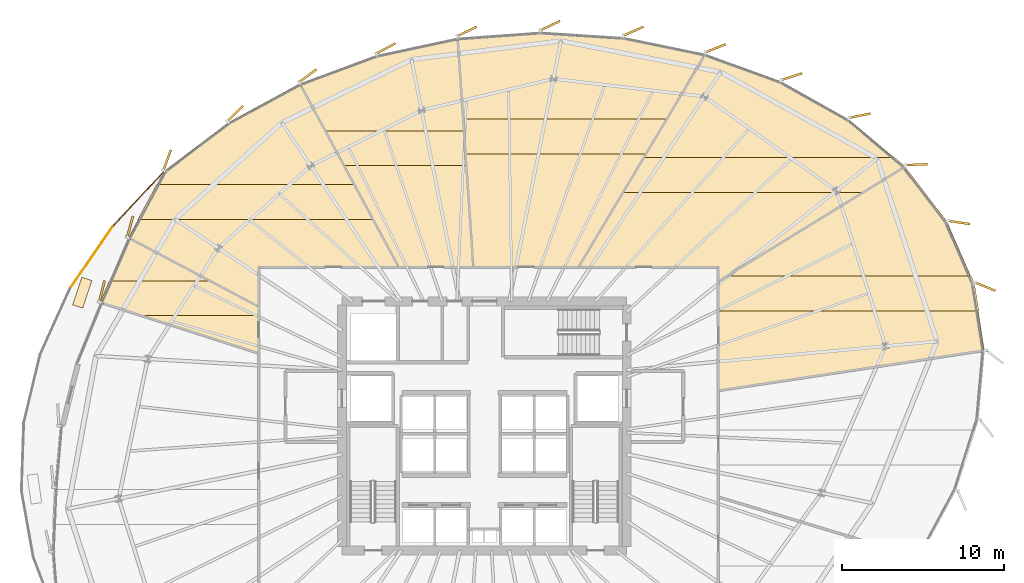
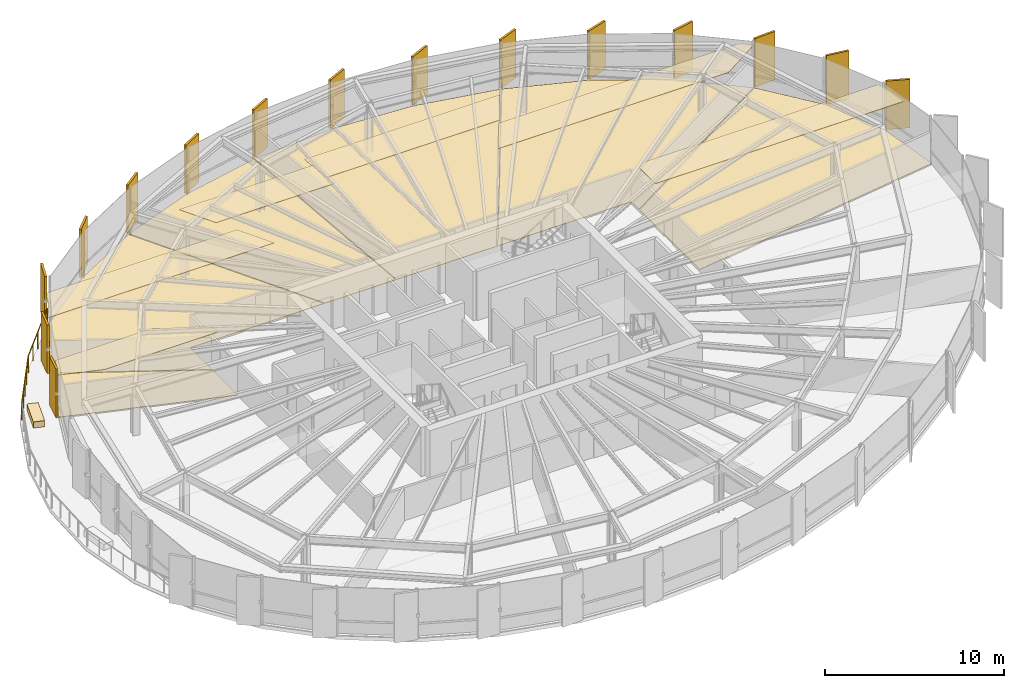
# One storey, part 35 of 35: 28 coverings, 2 railings.
"""IFC4 building model written with IfcOpenShell, lengths in metres."""

from ifc_helpers import new_model, si_unit, direction, frame, origin, origin_2d, place, context, subcontext, project, spatial, polyline, rectangle, circle, outline, extrude, source, transform, mapped, material, layer, layer_set, type_object, element, save


model = new_model("IFC4")

# Units and contexts
model_context = context("Model", 3, precision=1e-05, world=origin(), true_north=direction((0.0, 1.0)))
body_context = subcontext(model_context, "Body", "Model", "MODEL_VIEW")
ifc_project = project(units=[si_unit("LENGTHUNIT", "METRE"), si_unit("AREAUNIT", "SQUARE_METRE"), si_unit("VOLUMEUNIT", "CUBIC_METRE"), si_unit("PLANEANGLEUNIT", "RADIAN"), si_unit("MASSUNIT", "GRAM", prefix="KILO"), si_unit("THERMODYNAMICTEMPERATUREUNIT", "KELVIN")], contexts=[model_context])

# Site, building, storey
site_placement = place(None, origin())
site = spatial("IfcSite", under=ifc_project, at=site_placement, CompositionType="ELEMENT")
building_placement = place(site_placement, origin())
building = spatial("IfcBuilding", under=site, at=building_placement, Name="Kethvar Cultural Tower", CompositionType="ELEMENT")
storey_placement = place(building_placement, frame((0.0, 0.0, 100.0)))
storey = spatial("IfcBuildingStorey", under=building, at=storey_placement, Name="L24", CompositionType="ELEMENT", Elevation=100.0)

# Coverings
ifc_material_1 = material(Name="Acoustic Mineral Fibre Ceiling")
ifc_layer_1 = layer(ifc_material_1, 0.0400390625, Name="Acoustic Mineral Fibre Ceiling")
ifc_layer_set_1 = layer_set([ifc_layer_1], Name="Acoustic Mineral Fibre Ceiling (40 mm)")
covering_type_1 = type_object("IfcCoveringType", Name="CV-ACOUSTIC-CEIL", PredefinedType="CEILING", material=ifc_layer_set_1)
covering_1_placement = place(storey_placement, frame((0.0, 0.0, 2.889892578125)))
element("IfcCovering", 1, at=covering_1_placement, inside=storey, type_object=covering_type_1, Name="L24 Room 06 Acoustic Ceiling Panel", PredefinedType="CEILING", context=body_context, shape_type="SweptSolid", body=[
    extrude(outline(polyline([(77.1015625, 36.606201171875), (77.3681640625, 34.90478515625), (61.25, 34.90478515625), (61.25048828125, 36.7451171875), (61.739990234375, 37.054931640625), (76.90625, 37.054931640625), (77.1015625, 36.606201171875)])), origin(), (0.0, 0.0, 1.0), 0.0400390625),
])
covering_2_placement = place(storey_placement, frame((0.0, 0.0, 2.889892578125)))
element("IfcCovering", 2, at=covering_2_placement, inside=storey, type_object=covering_type_1, Name="L24 Room 07 Acoustic Ceiling Panel", PredefinedType="CEILING", context=body_context, shape_type="SweptSolid", body=[
    extrude(outline(polyline([(72.7978515625, 43.871337890625), (70.216552734375, 42.24560546875), (55.33935546875, 42.24560546875), (56.61376953125, 44.3955078125), (72.17333984375, 44.3955078125), (72.7978515625, 43.871337890625)])), origin(), (0.0, 0.0, 1.0), 0.0400390625),
])
covering_3_placement = place(storey_placement, frame((0.0, 0.0, 2.889892578125)))
element("IfcCovering", 3, at=covering_3_placement, inside=storey, type_object=covering_type_1, Name="L24 Room 08 Acoustic Ceiling Panel", PredefinedType="CEILING", context=body_context, shape_type="SweptSolid", body=[
    extrude(outline(polyline([(56.788818359375, 44.612548828125), (45.60693359375, 44.612548828125), (45.45703125, 46.7626953125), (58.063232421875, 46.7626953125), (56.788818359375, 44.612548828125)])), origin(), (0.0, 0.0, 1.0), 0.0400390625),
])
covering_4_placement = place(storey_placement, frame((0.0, 0.0, 2.889892578125)))
element("IfcCovering", 4, at=covering_4_placement, inside=storey, type_object=covering_type_1, Name="L24 Room 09 Acoustic Ceiling Panel", PredefinedType="CEILING", context=body_context, shape_type="SweptSolid", body=[
    extrude(outline(polyline([(45.697998046875, 43.884521484375), (38.1025390625, 43.884521484375), (36.94287109375, 46.03466796875), (45.5478515625, 46.03466796875), (45.697998046875, 43.884521484375)])), origin(), (0.0, 0.0, 1.0), 0.0400390625),
])
covering_5_placement = place(storey_placement, frame((0.0, 0.0, 2.889892578125)))
element("IfcCovering", 5, at=covering_5_placement, inside=storey, type_object=covering_type_1, Name="L24 Room 10 Acoustic Ceiling Panel", PredefinedType="CEILING", context=body_context, shape_type="SweptSolid", body=[
    extrude(outline(polyline([(39.94140625, 40.5595703125), (25.374755859375, 40.5595703125), (26.53662109375, 42.70947265625), (38.78173828125, 42.70947265625), (39.94140625, 40.5595703125)])), origin(), (0.0, 0.0, 1.0), 0.0400390625),
])
covering_6_placement = place(storey_placement, frame((0.0, 0.0, 2.889892578125)))
element("IfcCovering", 6, at=covering_6_placement, inside=storey, type_object=covering_type_1, Name="L24 Room 11 Acoustic Ceiling Panel", PredefinedType="CEILING", context=body_context, shape_type="SweptSolid", body=[
    extrude(outline(polyline([(32.859375, 35.184814453125), (32.8701171875, 34.61279296875), (25.57763671875, 34.61279296875), (23.0419921875, 35.444091796875), (23.611083984375, 36.7626953125), (29.871337890625, 36.7626953125), (32.859375, 35.184814453125)])), origin(), (0.0, 0.0, 1.0), 0.0400390625),
])
ifc_material_2 = material(Name="Honed Warm Limestone", Category="masonry")
ifc_layer_2 = layer(ifc_material_2, 0.030029296875, Name="Honed Warm Limestone", Category="masonry")
ifc_layer_set_2 = layer_set([ifc_layer_2], Name="Honed Warm Limestone (30 mm)")
covering_type_2 = type_object("IfcCoveringType", Name="CV-STONE-FLOOR", PredefinedType="FLOORING", material=ifc_layer_set_2)
covering_7_placement = place(storey_placement, origin())
element("IfcCovering", 7, at=covering_7_placement, inside=storey, type_object=covering_type_2, Name="L24 Room 06 Floor Finish", PredefinedType="FLOORING", context=body_context, shape_type="SweptSolid", body=[
    extrude(outline(polyline([(75.397216796875, 40.422119140625), (77.06396484375, 36.592529296875), (77.705810546875, 32.4833984375), (61.2900390625, 30.006591796875), (61.2900390625, 36.729736328125), (72.780029296875, 43.82958984375), (75.397216796875, 40.422119140625)])), origin(), (0.0, 0.0, 1.0), 0.030029296875),
])
covering_8_placement = place(storey_placement, origin())
element("IfcCovering", 8, at=covering_8_placement, inside=storey, type_object=covering_type_2, Name="L24 Room 07 Floor Finish", PredefinedType="FLOORING", context=body_context, shape_type="SweptSolid", body=[
    extrude(outline(polyline([(65.125, 49.095703125), (69.295654296875, 46.75830078125), (72.7509765625, 43.858642578125), (61.2900390625, 36.77685546875), (61.27197265625, 37.639892578125), (52.656005859375, 37.639892578125), (60.451904296875, 50.792236328125), (65.125, 49.095703125)])), origin(), (0.0, 0.0, 1.0), 0.030029296875),
])
covering_9_placement = place(storey_placement, origin())
element("IfcCovering", 9, at=covering_9_placement, inside=storey, type_object=covering_type_2, Name="L24 Room 08 Floor Finish", PredefinedType="FLOORING", context=body_context, shape_type="SweptSolid", body=[
    extrude(outline(polyline([(50.265380859375, 52.15869140625), (55.423095703125, 51.825927734375), (60.41162109375, 50.802734375), (52.609375, 37.639892578125), (46.133544921875, 37.639892578125), (45.146484375, 51.7890625), (50.265380859375, 52.15869140625)])), origin(), (0.0, 0.0, 1.0), 0.030029296875),
])
covering_10_placement = place(storey_placement, origin())
element("IfcCovering", 10, at=covering_10_placement, inside=storey, type_object=covering_type_2, Name="L24 Room 09 Floor Finish", PredefinedType="FLOORING", context=body_context, shape_type="SweptSolid", body=[
    extrude(outline(polyline([(40.14208984375, 50.716796875), (45.106689453125, 51.783203125), (46.093505859375, 37.639892578125), (41.515869140625, 37.639892578125), (35.40771484375, 48.96533203125), (40.14208984375, 50.716796875)])), origin(), (0.0, 0.0, 1.0), 0.030029296875),
])
covering_11_placement = place(storey_placement, origin())
element("IfcCovering", 11, at=covering_11_placement, inside=storey, type_object=covering_type_2, Name="L24 Room 10 Floor Finish", PredefinedType="FLOORING", context=body_context, shape_type="SweptSolid", body=[
    extrude(outline(polyline([(27.055419921875, 43.585693359375), (30.97998046875, 46.555908203125), (35.37109375, 48.948974609375), (41.470458984375, 37.639892578125), (32.84423828125, 37.63916015625), (32.830078125, 35.2001953125), (24.8125, 39.4345703125), (27.055419921875, 43.585693359375)])), origin(), (0.0, 0.0, 1.0), 0.030029296875),
])
covering_12_placement = place(storey_placement, origin())
element("IfcCovering", 12, at=covering_12_placement, inside=storey, type_object=covering_type_2, Name="L24 Room 11 Floor Finish", PredefinedType="FLOORING", context=body_context, shape_type="SweptSolid", body=[
    extrude(outline(polyline([(24.794921875, 39.3984375), (32.830078125, 35.155029296875), (32.830078125, 32.319580078125), (23.089111328125, 35.4560546875), (24.794921875, 39.3984375)])), origin(), (0.0, 0.0, 1.0), 0.030029296875),
])

# Railings
ifc_material_3 = material(Name="Steel S355J2", Category="steel")
railing_type = type_object("IfcRailingType", Name="RL-EXT-GUARD-1150", PredefinedType="BALUSTRADE", material=ifc_material_3)
railing_1_placement = place(storey_placement, frame((27.039794921875, 43.59912109375, 0.0)))
element("IfcRailing", 13, at=railing_1_placement, inside=storey, type_object=railing_type, Name="L24 Spiralling Terrace Balustrade 01", PredefinedType="BALUSTRADE", context=body_context, shape_type="SweptSolid", body=[
    extrude(circle(Radius=0.02392578125, at=origin_2d()), frame((0.0, 0.0, 1.1259765625), z_axis=(-0.679250861378, -0.733906170649, 0.0), x_axis=(0.733906170649, -0.679250861378, 0.0)), (0.0, 0.0, 1.0), 4.770751953125),
    extrude(circle(Radius=0.02099609375, at=origin_2d()), origin(), (0.0, 0.0, 1.0), 1.101806640625),
    extrude(circle(Radius=0.02099609375, at=origin_2d()), frame((-0.81005859375, -0.875244140625, 0.0)), (0.0, 0.0, 1.0), 1.101806640625),
    extrude(circle(Radius=0.02099609375, at=origin_2d()), frame((-1.6201171875, -1.75048828125, 0.0)), (0.0, 0.0, 1.0), 1.101806640625),
    extrude(circle(Radius=0.02099609375, at=origin_2d()), frame((-2.430419921875, -2.6259765625, 0.0)), (0.0, 0.0, 1.0), 1.101806640625),
    extrude(circle(Radius=0.02099609375, at=origin_2d()), frame((-3.240478515625, -3.501220703125, 0.0)), (0.0, 0.0, 1.0), 1.101806640625),
])
railing_2_placement = place(storey_placement, frame((23.79931640625, 40.097900390625, 0.0)))
element("IfcRailing", 14, at=railing_2_placement, inside=storey, type_object=railing_type, Name="L24 Spiralling Terrace Balustrade 02", PredefinedType="BALUSTRADE", context=body_context, shape_type="SweptSolid", body=[
    extrude(circle(Radius=0.02392578125, at=origin_2d()), frame((0.0, 0.0, 1.1259765625), z_axis=(-0.566407885105, -0.824125055857, 0.0), x_axis=(0.824125055857, -0.566407885105, 0.0)), (0.0, 0.0, 1.0), 4.626708984375),
    extrude(circle(Radius=0.02099609375, at=origin_2d()), origin(), (0.0, 0.0, 1.0), 1.101806640625),
    extrude(circle(Radius=0.02099609375, at=origin_2d()), frame((-0.6552734375, -0.953125, 0.0)), (0.0, 0.0, 1.0), 1.101806640625),
    extrude(circle(Radius=0.02099609375, at=origin_2d()), frame((-1.310302734375, -1.906494140625, 0.0)), (0.0, 0.0, 1.0), 1.101806640625),
    extrude(circle(Radius=0.02099609375, at=origin_2d()), frame((-1.96533203125, -2.85986328125, 0.0)), (0.0, 0.0, 1.0), 1.101806640625),
    extrude(circle(Radius=0.02099609375, at=origin_2d()), frame((-2.62060546875, -3.81298828125, 0.0)), (0.0, 0.0, 1.0), 1.101806640625),
])

# Coverings
ifc_material_4 = material(Name="Extruded Architectural Terracotta", Category="masonry")
ifc_layer_3 = layer(ifc_material_4, 0.419921875, Name="Extruded Architectural Terracotta", Category="masonry")
ifc_layer_set_3 = layer_set([ifc_layer_3], Name="Extruded Architectural Terracotta (420 mm)")
covering_type_3 = type_object("IfcCoveringType", Name="Terracotta Terrace Planter PLANTER-01", PredefinedType="USERDEFINED", material=ifc_layer_set_3)
shared_shape_1 = source(origin(), body_context, "Body", "SweptSolid", [
    extrude(rectangle(XDim=1.800048828125, YDim=0.64990234375, at=origin_2d()), origin(), (0.0, 0.0, 1.0), 0.419921875),
])
covering_13_placement = place(storey_placement, frame((21.938232421875, 36.033203125, 0.0), z_axis=(0.0, 0.0, 1.0), x_axis=(-0.314323848843, -0.949315815758, 0.0)))
element("IfcCovering", 15, at=covering_13_placement, inside=storey, type_object=covering_type_3, Name="L24 Sky Terrace Planter Box A", ObjectType="PLANTER", PredefinedType="USERDEFINED", context=body_context, shape_type="MappedRepresentation", body=[
    mapped(shared_shape_1, transform((0.0, 0.0, 0.0), scale=1.0)),
])
ifc_layer_4 = layer(ifc_material_4, 0.135009765625, Name="Extruded Architectural Terracotta", Category="masonry")
ifc_layer_set_4 = layer_set([ifc_layer_4], Name="Extruded Architectural Terracotta (135 mm)")
covering_type_4 = type_object("IfcCoveringType", Name="Terracotta Facade Fin FIN-02", PredefinedType="CLADDING", material=ifc_layer_set_4)
shared_shape_2 = source(origin(), body_context, "Body", "SweptSolid", [
    extrude(rectangle(XDim=1.35009765625, YDim=0.135009765625, at=origin_2d()), origin(), (0.0, 0.0, 1.0), 3.31005859375),
])
for number, where, z_axis, x_axis, name in (
    (16, (77.765869140625, 36.410400390625, 0.02001953125), (0.0, 0.0, 1.0), (0.925672620929, -0.378325519707, 0.0), "L24 Vertical Terracotta Fin 1.1"),
    (17, (76.1455078125, 40.38037109375, 0.02001953125), (0.0, 0.0, 1.0), (0.988782464828, -0.149362770624, 0.0), "L24 Vertical Terracotta Fin 1.2"),
    (18, (73.5107421875, 43.94970703125, 0.02001953125), (0.0, 0.0, 1.0), (0.998856745035, 0.047803795861, 0.0), "L24 Vertical Terracotta Fin 1.3"),
    (19, (70.0078125, 46.978759765625, 0.02001953125), (0.0, 0.0, 1.0), (0.980098312815, 0.198512712986, 0.0), "L24 Vertical Terracotta Fin 1.4"),
    (20, (65.803955078125, 49.393798828125, 0.02001953125), (0.0, 0.0, 1.0), (0.952926437371, 0.303201591289, 0.0), "L24 Vertical Terracotta Fin 1.5"),
    (21, (61.08642578125, 51.14453125, 0.02001953125), (0.0, 0.0, 1.0), (0.929261580892, 0.369422406303, 0.0), "L24 Vertical Terracotta Fin 1.6"),
    (22, (56.009033203125, 52.2021484375, 0.02001953125), (0.0, 0.0, 1.0), (0.913970890274, 0.405779757666, 0.0), "L24 Vertical Terracotta Fin 2.1"),
    (23, (50.8701171875, 52.546142578125, 0.02001953125), (0.0, 0.0, 1.0), (0.90475272618, 0.425937207192, 0.0), "L24 Vertical Terracotta Fin 2.2"),
    (24, (45.7138671875, 52.18408203125, 0.02001953125), (0.0, 0.0, 1.0), (0.897104200397, 0.441819028143, 0.0), "L24 Vertical Terracotta Fin 2.3"),
    (25, (40.702880859375, 51.131103515625, 0.02001953125), (0.0, 0.0, 1.0), (0.880394596097, 0.474241874114, 0.0), "L24 Vertical Terracotta Fin 2.4"),
    (26, (35.8828125, 49.44873046875, 0.02001953125), (0.0, 0.0, 1.0), (0.802921523834, 0.596084747803, 0.0), "L24 Vertical Terracotta Fin 2.5"),
    (27, (31.397216796875, 47.114990234375, 0.02001953125), (0.0, 0.0, 1.0), (0.705624270432, 0.708586190225, 0.0), "L24 Vertical Terracotta Fin 2.6"),
    (28, (27.18603515625, 44.2353515625, 0.02001953125), (0.0, 0.0, 1.0), (0.348244852958, 0.937403606985, 0.0), "L24 Vertical Terracotta Fin 3.1"),
    (29, (24.89111328125, 40.108642578125, 0.02001953125), (0.0, 0.0, 1.0), (0.265556117487, 0.964095404234, 0.0), "L24 Vertical Terracotta Fin 3.2"),
    (30, (23.15380859375, 36.12841796875, 0.02001953125), (0.0, 0.0, 1.0), (0.245476582274, 0.969402520914, 0.0), "L24 Vertical Terracotta Fin 3.3"),
):
    element("IfcCovering", number, at=place(storey_placement, frame(where, z_axis=z_axis, x_axis=x_axis)), inside=storey, type_object=covering_type_4, Name=name, PredefinedType="CLADDING", context=body_context, shape_type="MappedRepresentation", body=[
        mapped(shared_shape_2, transform((0.0, 0.0, 0.0), scale=1.0)),
    ])

save(model, "model.ifc")
